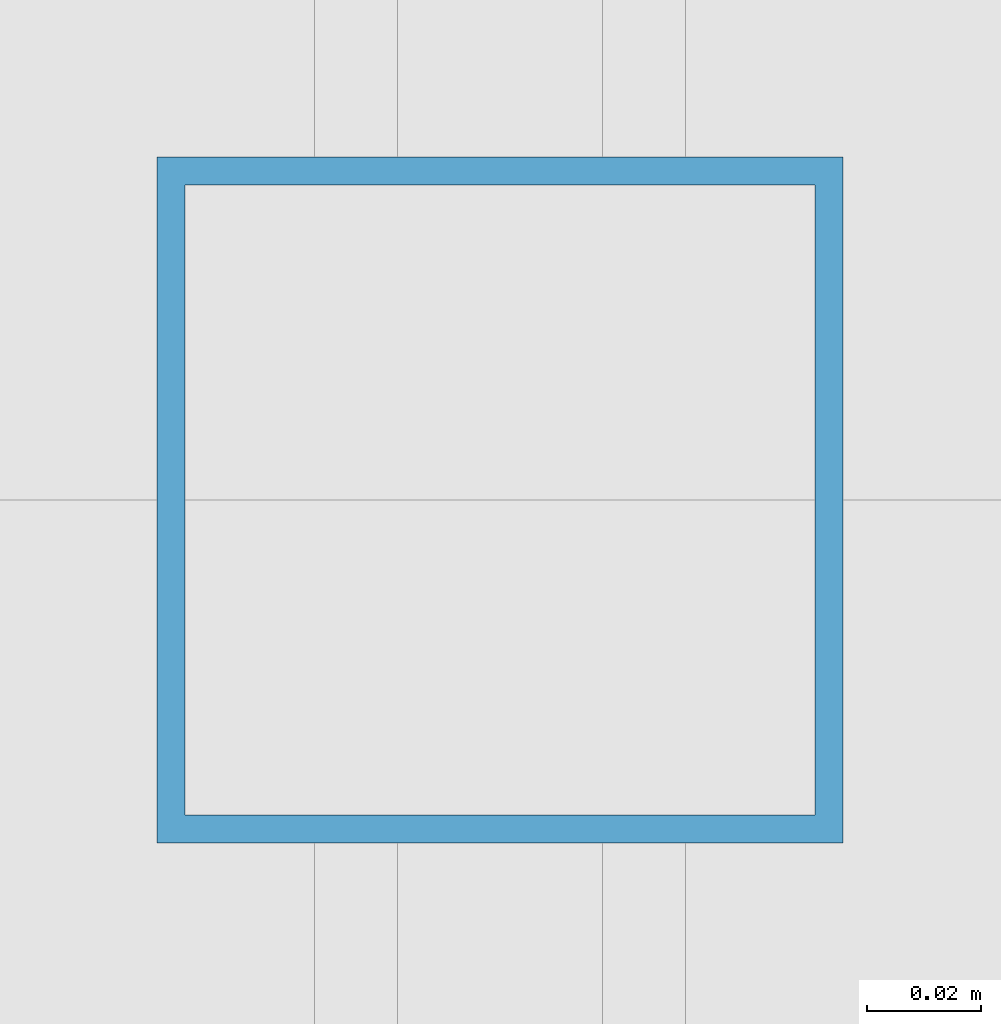
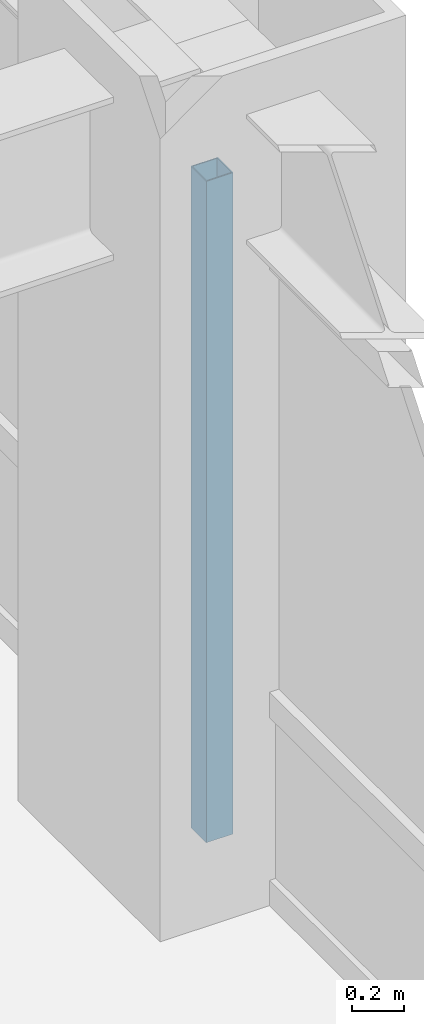
# One storey, part 10 of 24: 1 member, 1 element without a shape of its own.
"""IFC4 building model written with IfcOpenShell, lengths in metres."""

from ifc_helpers import new_model, si_unit, direction, frame, origin, origin_2d, place, context, subcontext, project, spatial, hollow_rectangle, extrude, source, transform, mapped, material, material_profile, profile_set, type_object, element, aggregate, save


model = new_model("IFC4")

# Units and contexts
model_context = context("Model", 3, precision=1e-05, world=origin(), true_north=direction((0.0, 1.0)))
body_context = subcontext(model_context, "Body", "Model", "MODEL_VIEW")
ifc_project = project(units=[si_unit("LENGTHUNIT", "METRE"), si_unit("AREAUNIT", "SQUARE_METRE"), si_unit("VOLUMEUNIT", "CUBIC_METRE"), si_unit("PLANEANGLEUNIT", "RADIAN"), si_unit("MASSUNIT", "GRAM", prefix="KILO")], contexts=[model_context])

# Site, building, storey
site_placement = place(None, origin())
site = spatial("IfcSite", under=ifc_project, at=site_placement, CompositionType="ELEMENT")
building_placement = place(site_placement, origin())
building = spatial("IfcBuilding", under=site, at=building_placement, Name="Khorayat Bourse Tower", CompositionType="ELEMENT")
storey_placement = place(building_placement, frame((0.0, 0.0, 179.10009765625)))
storey = spatial("IfcBuildingStorey", under=building, at=storey_placement, Name="L41", CompositionType="ELEMENT", Elevation=179.10009765625)

# Curtain wall, member
ifc_material = material(Name="Aluminium EN AW-6063 T6", Category="aluminium")
curtain_wall_type = type_object("IfcCurtainWallType", Name="CW-SYS-03", PredefinedType="NOTDEFINED", material=ifc_material)
curtain_wall_placement = place(storey_placement, origin())
curtain_wall = element("IfcCurtainWall", 1, at=curtain_wall_placement, inside=storey, type_object=curtain_wall_type, Name="L41 Curtain Wall CW-L41-E1", PredefinedType="NOTDEFINED")
ifc_material_profile = material_profile(ifc_material, hollow_rectangle(XDim=0.1201171875, YDim=0.1201171875, WallThickness=0.0048828125, at=origin_2d()), Name="ALU 120x120x5")
ifc_profile_set = profile_set([ifc_material_profile], Name="Aluminium EN AW-6063 T6")
member_type = type_object("IfcMemberType", Name="CWM-VERT-120", PredefinedType="MULLION", material=ifc_profile_set)
shared_shape = source(origin(), body_context, "Body", "SweptSolid", [
    extrude(hollow_rectangle(XDim=0.1201171875, YDim=0.1201171875, WallThickness=0.0048828125, at=origin_2d()), origin(), (0.0, 0.0, 1.0), 3.1298828125),
])
member_placement = place(storey_placement, frame((30.0, 0.0, 0.0), z_axis=(0.0, 0.0, 1.0), x_axis=(-1.0, 0.0, 0.0)))
member = element("IfcMember", 2, at=member_placement, type_object=member_type, Name="CW-L41-E1 Vertical Mullion 2", PredefinedType="MULLION", context=body_context, shape_type="MappedRepresentation", body=[
    mapped(shared_shape, transform((0.0, 0.0, 0.0), scale=1.0)),
])
aggregate(curtain_wall, [member])

save(model, "model.ifc")
